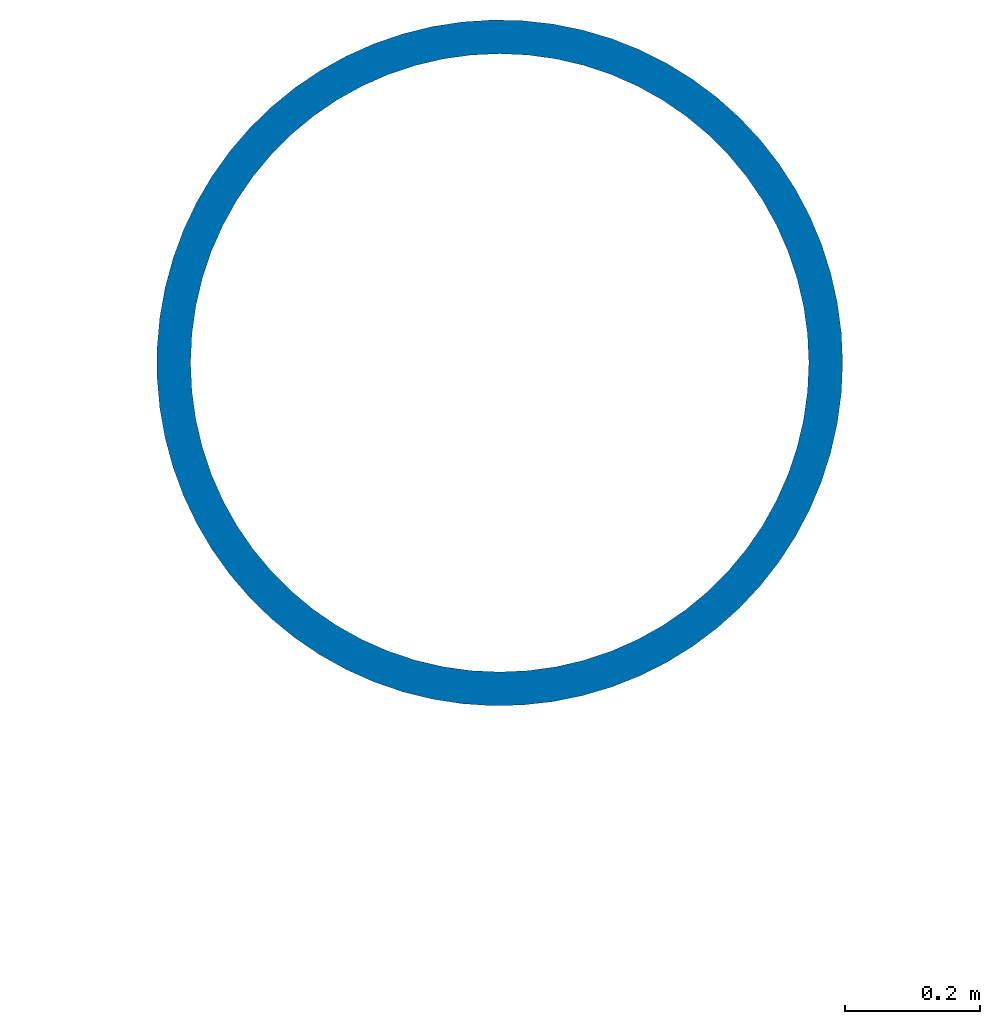
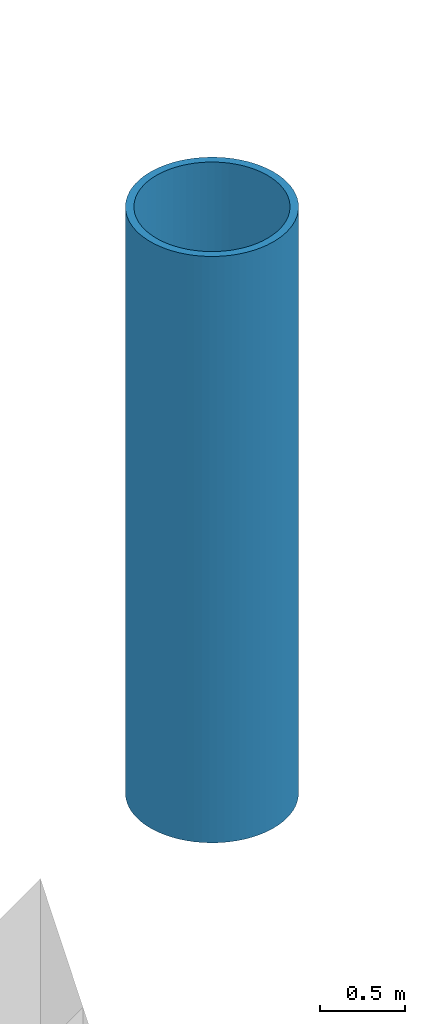
# One storey, part 8 of 100: 1 column.
"""IFC4 building model written with IfcOpenShell, lengths in metres."""

from ifc_helpers import new_model, si_unit, direction, frame, origin, origin_2d, place, context, subcontext, project, spatial, hollow_circle, extrude, material, material_profile, profile_set, type_object, element, save


model = new_model("IFC4")

# Units and contexts
model_context = context("Model", 3, precision=1e-05, world=origin(), true_north=direction((0.0, 1.0)))
body_context = subcontext(model_context, "Body", "Model", "MODEL_VIEW")
ifc_project = project(units=[si_unit("LENGTHUNIT", "METRE"), si_unit("AREAUNIT", "SQUARE_METRE"), si_unit("VOLUMEUNIT", "CUBIC_METRE"), si_unit("PLANEANGLEUNIT", "RADIAN"), si_unit("MASSUNIT", "GRAM", prefix="KILO")], contexts=[model_context])

# Site, building, storey
site_placement = place(None, origin())
site = spatial("IfcSite", under=ifc_project, at=site_placement, CompositionType="ELEMENT")
building_placement = place(site_placement, origin())
building = spatial("IfcBuilding", under=site, at=building_placement, Name="Cresset Court Congress Hotel", CompositionType="ELEMENT")
storey_placement = place(building_placement, frame((0.0, 0.0, 10.199951171875)))
storey = spatial("IfcBuildingStorey", under=building, at=storey_placement, Name="L02", CompositionType="ELEMENT", Elevation=10.199951171875)

# Column
ifc_material = material(Name="Structural steel Q355B", Category="steel")
ifc_material_profile = material_profile(ifc_material, hollow_circle(Radius=0.508056640625, WallThickness=0.050048828125, at=origin_2d()), Name="CHS1016x50")
ifc_profile_set = profile_set([ifc_material_profile], Name="Structural steel Q355B")
column_type = type_object("IfcColumnType", Name="Mast tube 1016x50", PredefinedType="COLUMN", material=ifc_profile_set)
column_placement = place(storey_placement, frame((120.60009765625, 120.60009765625, 0.0), z_axis=(0.0, 0.0, 1.0), x_axis=(1.0, 0.0, 0.0)))
element("IfcColumn", 1, at=column_placement, inside=storey, type_object=column_type, Name="Mast M3", PredefinedType="COLUMN", context=body_context, shape_type="SweptSolid", body=[
    extrude(hollow_circle(Radius=0.508056640625, WallThickness=0.050048828125, at=origin_2d()), origin(), (0.0, 0.0, 1.0), 4.199951171875),
])

save(model, "model.ifc")
